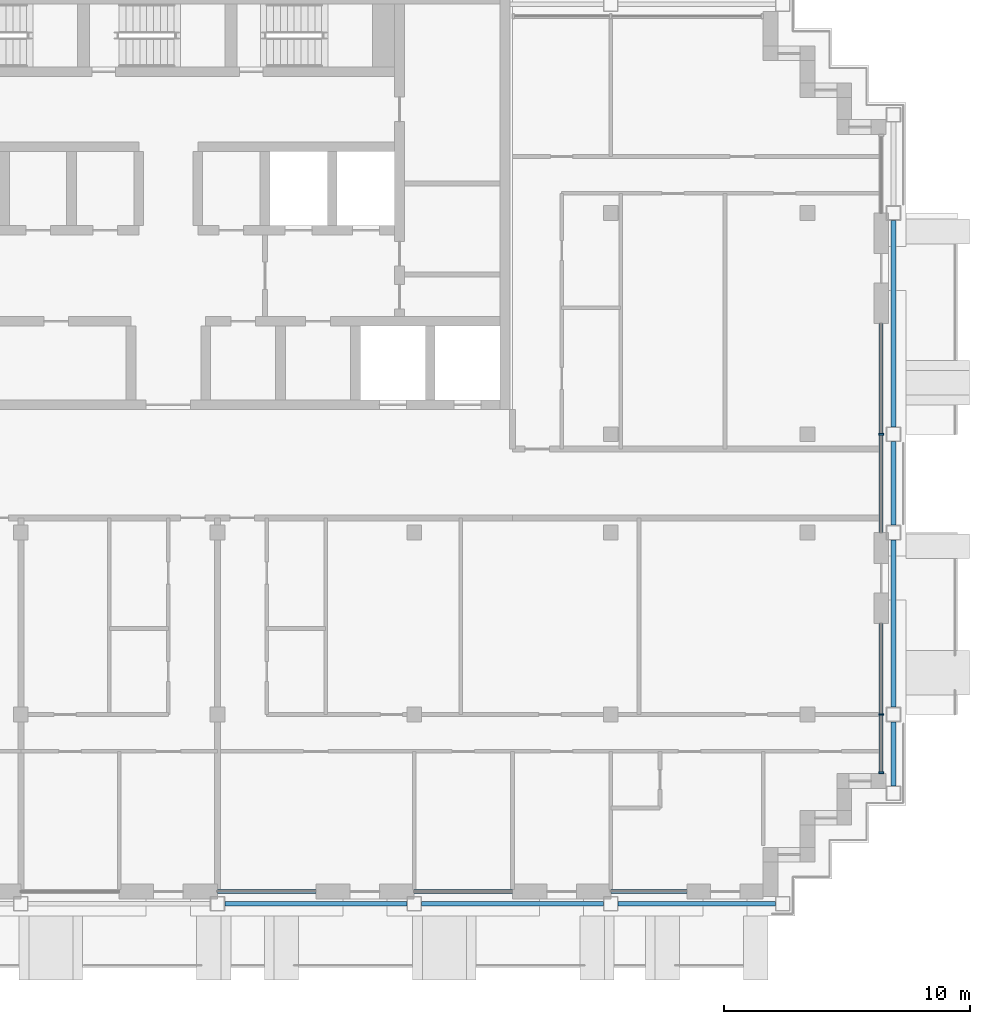
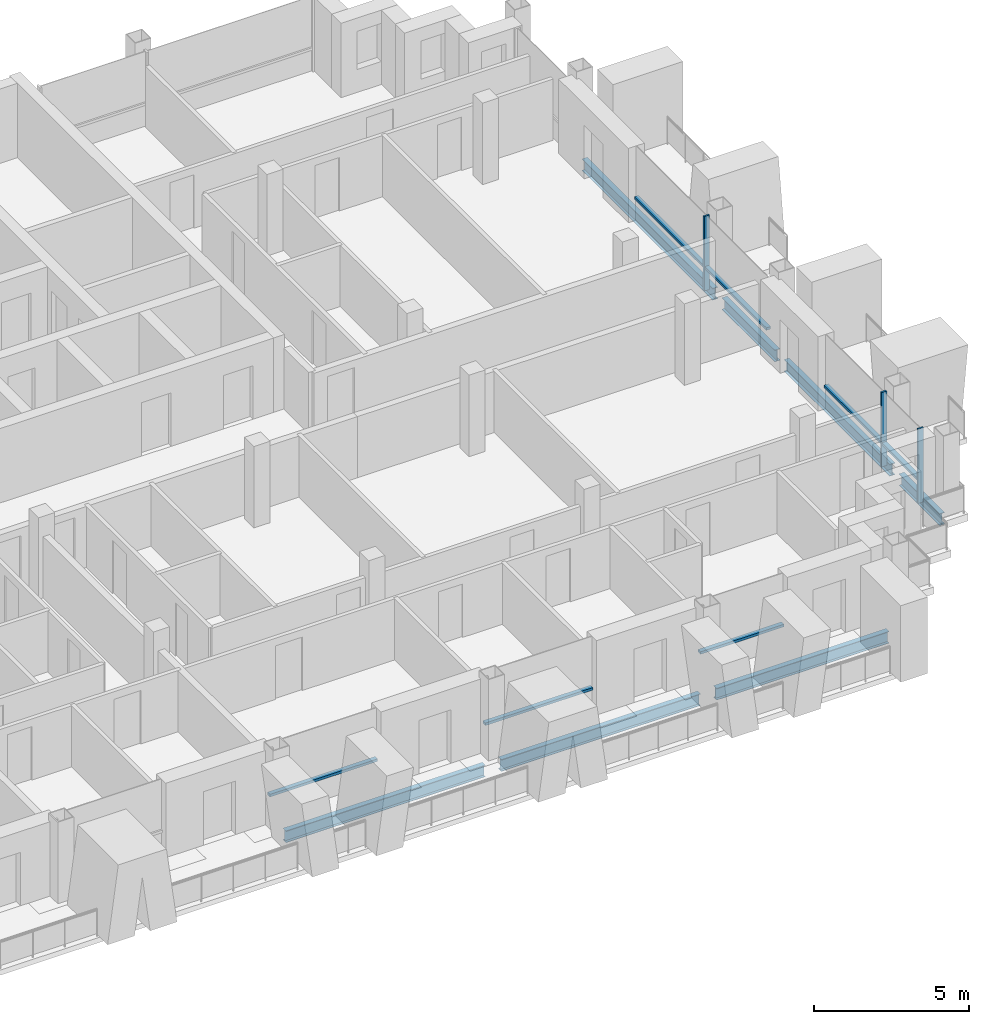
# One storey, part 3 of 16: 10 members, 7 beams, 5 elements without a shape of their own.
"""IFC4 building model written with IfcOpenShell, lengths in metres."""

from ifc_helpers import new_model, si_unit, direction, frame, origin, origin_2d, place, context, subcontext, project, spatial, rectangle, i_section, extrude, material, material_profile, profile_set, type_object, element, aggregate, save


model = new_model("IFC4")

# Units and contexts
model_context = context("Model", 3, precision=1e-05, world=origin(), true_north=direction((0.0, 1.0)))
body_context = subcontext(model_context, "Body", "Model", "MODEL_VIEW")
ifc_project = project(units=[si_unit("LENGTHUNIT", "METRE"), si_unit("AREAUNIT", "SQUARE_METRE"), si_unit("VOLUMEUNIT", "CUBIC_METRE"), si_unit("PLANEANGLEUNIT", "RADIAN"), si_unit("MASSUNIT", "GRAM", prefix="KILO")], contexts=[model_context])

# Site, building, storey
site_placement = place(None, origin())
site = spatial("IfcSite", under=ifc_project, at=site_placement, CompositionType="ELEMENT")
building_placement = place(site_placement, origin())
building = spatial("IfcBuilding", under=site, at=building_placement, Name="Vidyagriha Tower", CompositionType="ELEMENT")
storey_placement = place(building_placement, frame((0.0, 0.0, 217.199951171875)))
storey = spatial("IfcBuildingStorey", under=building, at=storey_placement, Name="L56", CompositionType="ELEMENT", Elevation=217.199951171875)

# Beams
ifc_material_1 = material(Name="Steel ASTM A992 Grade 50", Category="steel")
ifc_material_profile_1 = material_profile(ifc_material_1, i_section(OverallWidth=0.19189453125, OverallDepth=0.46240234375, WebThickness=0.010498046875, FlangeThickness=0.017578125, at=origin_2d()), Name="W18X60")
ifc_profile_set_1 = profile_set([ifc_material_profile_1], Name="Steel ASTM A992 Grade 50")
beam_type = type_object("IfcBeamType", Name="Edge beam W18X60", PredefinedType="SPANDREL", material=ifc_profile_set_1)
for number, where, z_axis, x_axis, name in (
    (1, (2.300048828125, -17.10009765625, -0.510986328125), (1.0, 0.0, 0.0), (0.0, 1.0, 0.0), "st-beam-L56-S05"),
    (2, (10.300048828125, -17.10009765625, -0.510986328125), (1.0, 0.0, 0.0), (0.0, 1.0, 0.0), "st-beam-L56-S06"),
):
    element("IfcBeam", number, at=place(storey_placement, frame(where, z_axis=z_axis, x_axis=x_axis)), inside=storey, type_object=beam_type, Name=name, PredefinedType="SPANDREL", context=body_context, shape_type="SweptSolid", body=[
        extrude(i_section(OverallWidth=0.19189453125, OverallDepth=0.46240234375, WebThickness=0.010498046875, FlangeThickness=0.017578125, at=origin_2d()), origin(), (0.0, 0.0, 1.0), 7.39990234375),
    ])
beam_1_placement = place(storey_placement, frame((18.300048828125, -17.10009765625, -0.510986328125), z_axis=(1.0, 0.0, 0.0), x_axis=(0.0, 1.0, 0.0)))
element("IfcBeam", 3, at=beam_1_placement, inside=storey, type_object=beam_type, Name="st-beam-L56-S07", PredefinedType="SPANDREL", context=body_context, shape_type="SweptSolid", body=[
    extrude(i_section(OverallWidth=0.19189453125, OverallDepth=0.46240234375, WebThickness=0.010498046875, FlangeThickness=0.017578125, at=origin_2d()), origin(), (0.0, 0.0, 1.0), 6.39990234375),
])
beam_2_placement = place(storey_placement, frame((29.5, -12.300048828125, -0.510986328125), z_axis=(0.0, 1.0, 0.0), x_axis=(-1.0, 0.0, 0.0)))
element("IfcBeam", 4, at=beam_2_placement, inside=storey, type_object=beam_type, Name="st-beam-L56-E13", PredefinedType="SPANDREL", context=body_context, shape_type="SweptSolid", body=[
    extrude(i_section(OverallWidth=0.19189453125, OverallDepth=0.46240234375, WebThickness=0.010498046875, FlangeThickness=0.017578125, at=origin_2d()), origin(), (0.0, 0.0, 1.0), 2.60009765625),
])
beam_3_placement = place(storey_placement, frame((29.5, -9.10009765625, -0.510986328125), z_axis=(0.0, 1.0, 0.0), x_axis=(-1.0, 0.0, 0.0)))
element("IfcBeam", 5, at=beam_3_placement, inside=storey, type_object=beam_type, Name="st-beam-L56-E14", PredefinedType="SPANDREL", context=body_context, shape_type="SweptSolid", body=[
    extrude(i_section(OverallWidth=0.19189453125, OverallDepth=0.46240234375, WebThickness=0.010498046875, FlangeThickness=0.017578125, at=origin_2d()), origin(), (0.0, 0.0, 1.0), 6.800048828125),
])
beam_4_placement = place(storey_placement, frame((29.5, -1.699951171875, -0.510986328125), z_axis=(0.0, 1.0, 0.0), x_axis=(-1.0, 0.0, 0.0)))
element("IfcBeam", 6, at=beam_4_placement, inside=storey, type_object=beam_type, Name="st-beam-L56-E15", PredefinedType="SPANDREL", context=body_context, shape_type="SweptSolid", body=[
    extrude(i_section(OverallWidth=0.19189453125, OverallDepth=0.46240234375, WebThickness=0.010498046875, FlangeThickness=0.017578125, at=origin_2d()), origin(), (0.0, 0.0, 1.0), 3.39990234375),
])
beam_5_placement = place(storey_placement, frame((29.5, 2.300048828125, -0.510986328125), z_axis=(0.0, 1.0, 0.0), x_axis=(-1.0, 0.0, 0.0)))
element("IfcBeam", 7, at=beam_5_placement, inside=storey, type_object=beam_type, Name="st-beam-L56-E16", PredefinedType="SPANDREL", context=body_context, shape_type="SweptSolid", body=[
    extrude(i_section(OverallWidth=0.19189453125, OverallDepth=0.46240234375, WebThickness=0.010498046875, FlangeThickness=0.017578125, at=origin_2d()), origin(), (0.0, 0.0, 1.0), 8.39990234375),
])

# Curtain wall, members
ifc_material_2 = material(Name="Aluminium and glass curtain wall", Category="aluminium")
curtain_wall_type = type_object("IfcCurtainWallType", Name="Dwelling skin unitised curtain wall", PredefinedType="USERDEFINED", material=ifc_material_2)
curtain_wall_1_placement = place(storey_placement, origin())
curtain_wall_1 = element("IfcCurtainWall", 8, at=curtain_wall_1_placement, inside=storey, type_object=curtain_wall_type, Name="CW1 dwelling skin", ObjectType="UNITISED", PredefinedType="USERDEFINED")
ifc_material_3 = material(Name="Aluminium black anodised", Category="aluminium")
ifc_material_profile_2 = material_profile(ifc_material_3, rectangle(XDim=0.199951171875, YDim=0.070068359375, at=origin_2d()), Name="Mullion 70x200 black aluminium")
ifc_profile_set_2 = profile_set([ifc_material_profile_2], Name="Aluminium black anodised")
member_type_1 = type_object("IfcMemberType", Name="Mullion 70x200 black aluminium", PredefinedType="MULLION", material=ifc_profile_set_2)
member_1_placement = place(storey_placement, frame((29.0, -11.764892578125, 0.0), z_axis=(0.0, 0.0, 1.0), x_axis=(-1.0, 0.0, 0.0)))
member_1 = element("IfcMember", 9, at=member_1_placement, type_object=member_type_1, Name="CW1 mullion 1", PredefinedType="MULLION", context=body_context, shape_type="SweptSolid", body=[
    extrude(rectangle(XDim=0.199951171875, YDim=0.070068359375, at=origin_2d()), origin(), (0.0, 0.0, 1.0), 2.920166015625),
])
member_2_placement = place(storey_placement, frame((29.0, -9.39990234375, 0.0), z_axis=(0.0, 0.0, 1.0), x_axis=(-1.0, 0.0, 0.0)))
member_2 = element("IfcMember", 10, at=member_2_placement, type_object=member_type_1, Name="CW1 mullion 2", PredefinedType="MULLION", context=body_context, shape_type="SweptSolid", body=[
    extrude(rectangle(XDim=0.199951171875, YDim=0.070068359375, at=origin_2d()), origin(), (0.0, 0.0, 1.0), 2.920166015625),
])

# Curtain wall, member
curtain_wall_2_placement = place(storey_placement, origin())
curtain_wall_2 = element("IfcCurtainWall", 11, at=curtain_wall_2_placement, inside=storey, type_object=curtain_wall_type, Name="CW1 dwelling skin", ObjectType="UNITISED", PredefinedType="USERDEFINED")
member_3_placement = place(storey_placement, frame((29.0, 2.0, 0.0), z_axis=(0.0, 0.0, 1.0), x_axis=(-1.0, 0.0, 0.0)))
member_3 = element("IfcMember", 12, at=member_3_placement, type_object=member_type_1, Name="CW1 mullion 2", PredefinedType="MULLION", context=body_context, shape_type="SweptSolid", body=[
    extrude(rectangle(XDim=0.199951171875, YDim=0.070068359375, at=origin_2d()), origin(), (0.0, 0.0, 1.0), 2.920166015625),
])

curtain_wall_3_placement = place(storey_placement, origin())
curtain_wall_3 = element("IfcCurtainWall", 13, at=curtain_wall_3_placement, inside=storey, type_object=curtain_wall_type, Name="CW1 dwelling skin", ObjectType="UNITISED", PredefinedType="USERDEFINED")
ifc_material_4 = material(Name="Aluminium black anodised", Category="aluminium")
ifc_material_profile_3 = material_profile(ifc_material_4, rectangle(XDim=0.159912109375, YDim=0.10009765625, at=origin_2d()), Name="Transom 100x160 black aluminium")
ifc_profile_set_3 = profile_set([ifc_material_profile_3], Name="Aluminium black anodised")
member_type_2 = type_object("IfcMemberType", Name="Transom 100x160 black aluminium", PredefinedType="USERDEFINED", material=ifc_profile_set_3)
member_4_placement = place(storey_placement, frame((2.0, -16.60009765625, 0.900146484375), z_axis=(1.0, 0.0, 0.0), x_axis=(0.0, 1.0, 0.0)))
member_4 = element("IfcMember", 14, at=member_4_placement, type_object=member_type_2, Name="CW1 transom 1.1", ObjectType="TRANSOM", PredefinedType="USERDEFINED", context=body_context, shape_type="SweptSolid", body=[
    extrude(rectangle(XDim=0.159912109375, YDim=0.10009765625, at=origin_2d()), origin(), (0.0, 0.0, 1.0), 4.0),
])
aggregate(curtain_wall_3, [member_4])

curtain_wall_4_placement = place(storey_placement, origin())
curtain_wall_4 = element("IfcCurtainWall", 15, at=curtain_wall_4_placement, inside=storey, type_object=curtain_wall_type, Name="CW1 dwelling skin", ObjectType="UNITISED", PredefinedType="USERDEFINED")
member_5_placement = place(storey_placement, frame((10.0, -16.60009765625, 0.900146484375), z_axis=(1.0, 0.0, 0.0), x_axis=(0.0, 1.0, 0.0)))
member_5 = element("IfcMember", 16, at=member_5_placement, type_object=member_type_2, Name="CW1 transom 1.1", ObjectType="TRANSOM", PredefinedType="USERDEFINED", context=body_context, shape_type="SweptSolid", body=[
    extrude(rectangle(XDim=0.159912109375, YDim=0.10009765625, at=origin_2d()), origin(), (0.0, 0.0, 1.0), 4.0),
])
aggregate(curtain_wall_4, [member_5])

curtain_wall_5_placement = place(storey_placement, origin())
curtain_wall_5 = element("IfcCurtainWall", 17, at=curtain_wall_5_placement, inside=storey, type_object=curtain_wall_type, Name="CW1 dwelling skin", ObjectType="UNITISED", PredefinedType="USERDEFINED")
member_6_placement = place(storey_placement, frame((18.0, -16.60009765625, 0.900146484375), z_axis=(1.0, 0.0, 0.0), x_axis=(0.0, 1.0, 0.0)))
member_6 = element("IfcMember", 18, at=member_6_placement, type_object=member_type_2, Name="CW1 transom 1.1", ObjectType="TRANSOM", PredefinedType="USERDEFINED", context=body_context, shape_type="SweptSolid", body=[
    extrude(rectangle(XDim=0.159912109375, YDim=0.10009765625, at=origin_2d()), origin(), (0.0, 0.0, 1.0), 3.10009765625),
])
aggregate(curtain_wall_5, [member_6])

# Member
member_7_placement = place(storey_placement, frame((29.0, -11.72998046875, 0.900146484375), z_axis=(0.0, 1.0, 0.0), x_axis=(-1.0, 0.0, 0.0)))
member_7 = element("IfcMember", 19, at=member_7_placement, type_object=member_type_2, Name="CW1 transom 1.1", ObjectType="TRANSOM", PredefinedType="USERDEFINED", context=body_context, shape_type="SweptSolid", body=[
    extrude(rectangle(XDim=0.159912109375, YDim=0.10009765625, at=origin_2d()), origin(), (0.0, 0.0, 1.0), 2.294921875),
])

member_8_placement = place(storey_placement, frame((29.0, -9.364990234375, 0.900146484375), z_axis=(0.0, 1.0, 0.0), x_axis=(-1.0, 0.0, 0.0)))
member_8 = element("IfcMember", 20, at=member_8_placement, type_object=member_type_2, Name="CW1 transom 2.1", ObjectType="TRANSOM", PredefinedType="USERDEFINED", context=body_context, shape_type="SweptSolid", body=[
    extrude(rectangle(XDim=0.159912109375, YDim=0.10009765625, at=origin_2d()), origin(), (0.0, 0.0, 1.0), 3.6650390625),
])

aggregate(curtain_wall_1, [member_1, member_2, member_7, member_8])

member_9_placement = place(storey_placement, frame((29.0, -2.0, 0.900146484375), z_axis=(0.0, 1.0, 0.0), x_axis=(-1.0, 0.0, 0.0)))
member_9 = element("IfcMember", 21, at=member_9_placement, type_object=member_type_2, Name="CW1 transom 1.1", ObjectType="TRANSOM", PredefinedType="USERDEFINED", context=body_context, shape_type="SweptSolid", body=[
    extrude(rectangle(XDim=0.159912109375, YDim=0.10009765625, at=origin_2d()), origin(), (0.0, 0.0, 1.0), 3.965087890625),
])

member_10_placement = place(storey_placement, frame((29.0, 2.034912109375, 0.900146484375), z_axis=(0.0, 1.0, 0.0), x_axis=(-1.0, 0.0, 0.0)))
member_10 = element("IfcMember", 22, at=member_10_placement, type_object=member_type_2, Name="CW1 transom 2.1", ObjectType="TRANSOM", PredefinedType="USERDEFINED", context=body_context, shape_type="SweptSolid", body=[
    extrude(rectangle(XDim=0.159912109375, YDim=0.10009765625, at=origin_2d()), origin(), (0.0, 0.0, 1.0), 4.465087890625),
])

aggregate(curtain_wall_2, [member_3, member_9, member_10])

save(model, "model.ifc")
